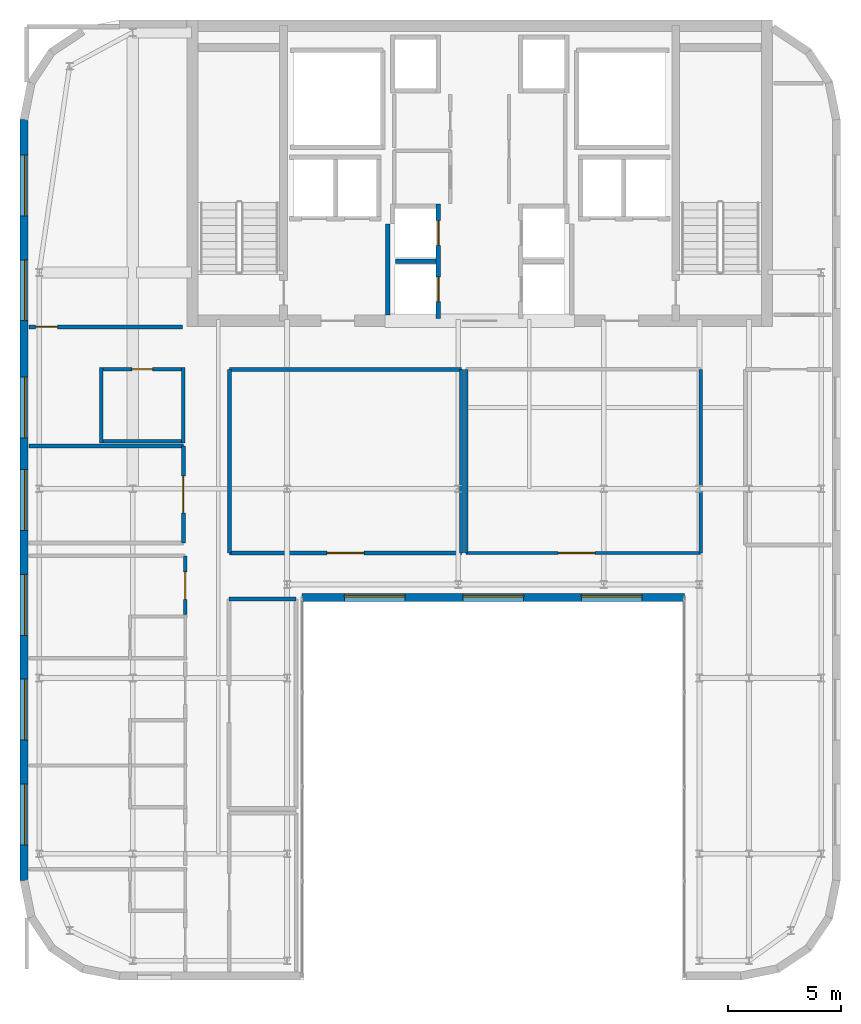
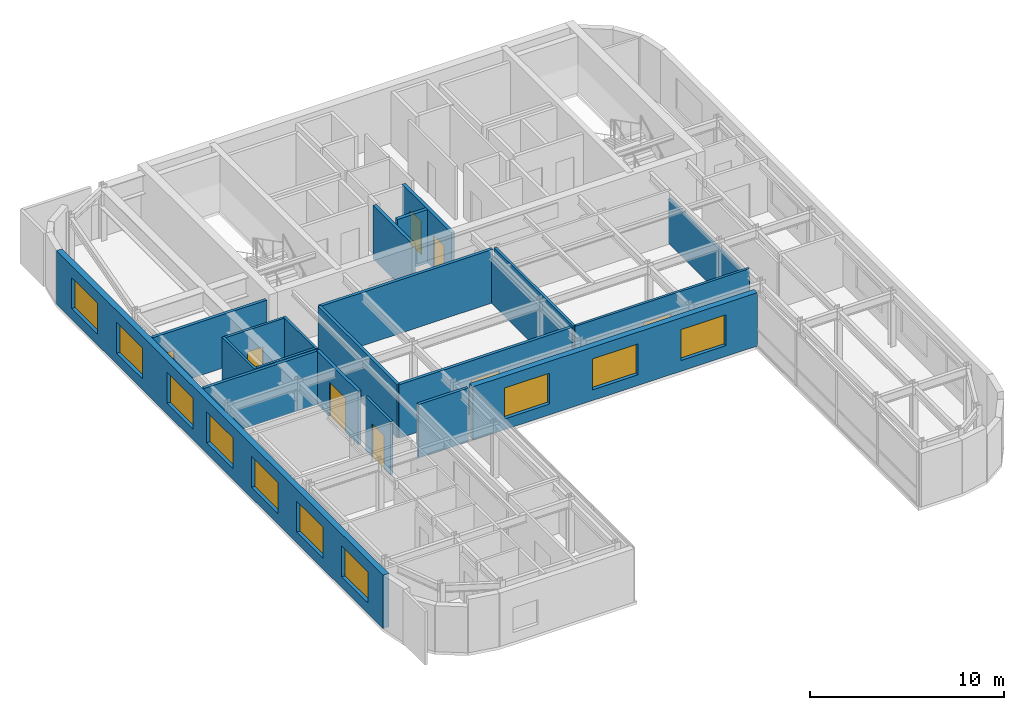
# One storey, part 14 of 18: 21 walls, 10 windows, 8 doors, 18 openings.
"""IFC4 building model written with IfcOpenShell, lengths in metres."""

import ifcopenshell
import ifcopenshell.guid

model = None  # the IFC model being written
_history = None  # IfcOwnerHistory: only IFC2X3 demands one
_inside = {}  # id of a spatial element -> (the spatial element, [elements in it])
_under = {}  # id of a project, library or spatial element -> (it, [spatial elements below it])
_declared = {}  # id of a project -> (the project, [libraries it declares])
_typed = {}  # id of a type object -> (the type object, [elements of that type])
_made_of = {}  # id of a material, layer set ... -> (it, [elements and type objects made of it])


def new_model(schema):
    """Start an empty IFC model of exactly this schema.

    Asked for "IFC4X3", IfcOpenShell would pick the latest addendum, in which some entities
    have other attributes; the version numbers below select the first issue.
    IFC2X3 requires an IfcOwnerHistory on every rooted entity: one is made here for all.
    """
    global model, _history
    if schema == "IFC4X3":
        model = ifcopenshell.file(schema_version=(4, 3, 0, 0))
    else:
        model = ifcopenshell.file(schema=schema)
    _inside.clear()
    _under.clear()
    _declared.clear()
    _typed.clear()
    _made_of.clear()
    _history = None
    if model.schema == "IFC2X3":
        org = make("IfcOrganization", Name="unknown")
        user = make(
            "IfcPersonAndOrganization",
            ThePerson=make("IfcPerson", FamilyName="unknown"),
            TheOrganization=org,
        )
        app = make(
            "IfcApplication",
            ApplicationDeveloper=org,
            Version="unknown",
            ApplicationFullName="unknown",
            ApplicationIdentifier="unknown",
        )
        _history = make(
            "IfcOwnerHistory",
            OwningUser=user,
            OwningApplication=app,
            ChangeAction="ADDED",
            CreationDate=0,
        )
    return model


def make(cls, **values):
    """One entity of the class cls with the attributes given. An attribute that is None is left unset."""
    return model.create_entity(
        cls, **{name: value for name, value in values.items() if value is not None}
    )


def rooted(cls, **values):
    """An entity with a GlobalId (a new one), such as an element, a storey or a relation."""
    return make(cls, GlobalId=ifcopenshell.guid.new(), OwnerHistory=_history, **values)


def si_unit(unit_type, name, prefix=None):
    """IfcSIUnit, for example si_unit("LENGTHUNIT", "METRE", prefix="MILLI")."""
    return make("IfcSIUnit", UnitType=unit_type, Prefix=prefix, Name=name)


def assignment(units):
    """IfcUnitAssignment: the units of a project."""
    return None if units is None else make("IfcUnitAssignment", Units=units)


def point(xyz):
    """IfcCartesianPoint."""
    return None if xyz is None else make("IfcCartesianPoint", Coordinates=xyz)


def direction(xyz):
    """IfcDirection."""
    return None if xyz is None else make("IfcDirection", DirectionRatios=xyz)


def frame(location, z_axis=None, x_axis=None):
    """IfcAxis2Placement3D, a coordinate frame: its origin and axes. An axis left out is left unset."""
    return make(
        "IfcAxis2Placement3D",
        Location=point(location),
        Axis=direction(z_axis),
        RefDirection=direction(x_axis),
    )


def frame_2d(location, x_axis=None):
    """IfcAxis2Placement2D, a coordinate frame in the plane: its origin and x axis."""
    return make(
        "IfcAxis2Placement2D", Location=point(location), RefDirection=direction(x_axis)
    )


def origin():
    """The frame at (0, 0, 0) with its axes left unset."""
    return frame((0.0, 0.0, 0.0))


def place(relative_to, where):
    """IfcLocalPlacement: puts the frame where relative to a parent placement (None: the world)."""
    return make(
        "IfcLocalPlacement", PlacementRelTo=relative_to, RelativePlacement=where
    )


def context(
    kind, dimensions, precision=None, world=None, true_north=None, identifier=None
):
    """IfcGeometricRepresentationContext, for example the 3D "Model" context."""
    return make(
        "IfcGeometricRepresentationContext",
        ContextIdentifier=identifier,
        ContextType=kind,
        CoordinateSpaceDimension=dimensions,
        Precision=precision,
        WorldCoordinateSystem=world,
        TrueNorth=true_north,
    )


def subcontext(parent, identifier, kind, view, scale=None):
    """IfcGeometricRepresentationSubContext, for example "Body" below "Model"."""
    return make(
        "IfcGeometricRepresentationSubContext",
        ContextIdentifier=identifier,
        ContextType=kind,
        ParentContext=parent,
        TargetScale=scale,
        TargetView=view,
    )


def project(units=None, contexts=None):
    """IfcProject with its units and contexts."""
    return rooted(
        "IfcProject",
        Name="project",
        RepresentationContexts=contexts,
        UnitsInContext=assignment(units),
    )


def spatial(cls, under=None, at=None, **own):
    """A site, building, storey or space (cls), placed at a placement, below another one or the project."""
    s = rooted(cls, ObjectPlacement=at, **own)
    if under is not None:
        _under.setdefault(under.id(), (under, []))[1].append(s)
    return s


def profile(cls, at=None, kind="AREA", **sizes):
    """A parametric profile (cls). Its sizes go by their IFC names, for example OverallWidth=200.0."""
    return make(cls, ProfileType=kind, Position=at, **sizes)


def rectangle(**sizes):
    """IfcRectangleProfileDef."""
    return profile("IfcRectangleProfileDef", **sizes)


def extrude(swept, where, along, depth):
    """IfcExtrudedAreaSolid: the profile swept, set in the frame where, extruded along a direction by depth."""
    return make(
        "IfcExtrudedAreaSolid",
        SweptArea=swept,
        Position=where,
        ExtrudedDirection=direction(along),
        Depth=depth,
    )


def shape(context_of_items, identifier, shape_type, items):
    """IfcShapeRepresentation: the items that make up one representation, for example the "Body"."""
    return make(
        "IfcShapeRepresentation",
        ContextOfItems=context_of_items,
        RepresentationIdentifier=identifier,
        RepresentationType=shape_type,
        Items=items,
    )


def source(mapping_origin, context_of_items, identifier, shape_type, items):
    """IfcRepresentationMap: a shape defined once, which mapped items show again and again."""
    return make(
        "IfcRepresentationMap",
        MappingOrigin=mapping_origin,
        MappedRepresentation=shape(context_of_items, identifier, shape_type, items),
    )


def transform(
    local_origin,
    x_axis=None,
    y_axis=None,
    z_axis=None,
    scale=None,
    scale2=None,
    scale3=None,
    uniform=True,
):
    """IfcCartesianTransformationOperator3D, or its non-uniform kind. x_axis, y_axis, z_axis: its Axis1, 2, 3."""
    if uniform:
        return make(
            "IfcCartesianTransformationOperator3D",
            Axis1=direction(x_axis),
            Axis2=direction(y_axis),
            LocalOrigin=point(local_origin),
            Scale=scale,
            Axis3=direction(z_axis),
        )
    return make(
        "IfcCartesianTransformationOperator3DnonUniform",
        Axis1=direction(x_axis),
        Axis2=direction(y_axis),
        LocalOrigin=point(local_origin),
        Scale=scale,
        Axis3=direction(z_axis),
        Scale2=scale2,
        Scale3=scale3,
    )


def mapped(mapping_source, mapping_target):
    """IfcMappedItem: shows the shape of a source again, moved by a transform."""
    return make(
        "IfcMappedItem", MappingSource=mapping_source, MappingTarget=mapping_target
    )


def material(Name=None, Category=None):
    """IfcMaterial."""
    return make("IfcMaterial", Name=Name, Category=Category)


def layer(
    of_material, thickness, ventilated=None, Name=None, Category=None, Priority=None
):
    """IfcMaterialLayer: one layer of a wall or slab, of a material (None: an air gap)."""
    return make(
        "IfcMaterialLayer",
        Material=of_material,
        LayerThickness=thickness,
        IsVentilated=ventilated,
        Name=Name,
        Category=Category,
        Priority=Priority,
    )


def layer_set(layers, Name=None):
    """IfcMaterialLayerSet."""
    return make("IfcMaterialLayerSet", MaterialLayers=layers, LayerSetName=Name)


def made_of(thing, what):
    """Note that an element or type object is made of a material, layer set ...; save() writes the relation."""
    if what is not None:
        _made_of.setdefault(what.id(), (what, []))[1].append(thing)
    return thing


def type_object(cls, material=None, **own):
    """A type object (cls), such as IfcWallType, which elements share."""
    return made_of(rooted(cls, **own), material)


def type_shapes(of_type, sources):
    """Give a type object the sources (RepresentationMaps) that its elements show as mapped items."""
    of_type.RepresentationMaps = sources


def element(
    cls,
    number,
    at=None,
    inside=None,
    cuts=None,
    type_object=None,
    material=None,
    context=None,
    identifier="Body",
    shape_type=None,
    held_by="IfcProductDefinitionShape",
    body=None,
    shapes=None,
    **own,
):
    """One element of the class cls, such as IfcWall. Its Tag is "e" and its number.

    at: its placement. inside: the storey or other place that contains it. cuts: it is an
    opening in that element (IfcRelVoidsElement). A single representation is given by context,
    identifier, shape_type and body (its items); several are given by shapes. held_by: the class
    of the entity that holds the representations. save() writes the other relations.
    """
    e = rooted(cls, Tag="e%d" % number, ObjectPlacement=at, **own)
    if body is not None:
        shapes = [shape(context, identifier, shape_type, body)]
    if shapes is not None:
        e.Representation = make(held_by, Representations=shapes)
    if inside is not None:
        _inside.setdefault(inside.id(), (inside, []))[1].append(e)
    if cuts is not None:
        rooted(
            "IfcRelVoidsElement", RelatingBuildingElement=cuts, RelatedOpeningElement=e
        )
    if type_object is not None:
        _typed.setdefault(type_object.id(), (type_object, []))[1].append(e)
    return made_of(e, material)


def fill(opening, filler):
    """IfcRelFillsElement: the door or window that sits in an opening."""
    return rooted(
        "IfcRelFillsElement",
        RelatingOpeningElement=opening,
        RelatedBuildingElement=filler,
    )


def aggregate(whole, parts):
    """IfcRelAggregates: a whole, such as a stair, and the parts it consists of."""
    return rooted("IfcRelAggregates", RelatingObject=whole, RelatedObjects=parts)


def save(model, path):
    """Write the relations noted so far, then the file.

    IfcRelAggregates (storeys below a building ...), IfcRelContainedInSpatialStructure (elements
    in a storey), IfcRelDefinesByType, IfcRelAssociatesMaterial and IfcRelDeclares: one each for
    every whole, place, type object, material and project.
    """
    for whole, parts in _under.values():
        aggregate(whole, parts)
    for where, things in _inside.values():
        rooted(
            "IfcRelContainedInSpatialStructure",
            RelatedElements=things,
            RelatingStructure=where,
        )
    for kind, things in _typed.values():
        rooted("IfcRelDefinesByType", RelatedObjects=things, RelatingType=kind)
    for what, things in _made_of.values():
        rooted("IfcRelAssociatesMaterial", RelatedObjects=things, RelatingMaterial=what)
    for by, libraries in _declared.values():
        rooted("IfcRelDeclares", RelatingContext=by, RelatedDefinitions=libraries)
    model.write(path)


model = new_model("IFC4")

# Units and contexts
model_context = context("Model", 3, precision=1e-05, world=origin(), true_north=direction((0.0, 1.0)))
body_context = subcontext(model_context, "Body", "Model", "MODEL_VIEW")
ifc_project = project(units=[si_unit("LENGTHUNIT", "METRE"), si_unit("AREAUNIT", "SQUARE_METRE"), si_unit("VOLUMEUNIT", "CUBIC_METRE"), si_unit("PLANEANGLEUNIT", "RADIAN"), si_unit("MASSUNIT", "GRAM", prefix="KILO")], contexts=[model_context])

# Site, building, storey
site_placement = place(None, origin())
site = spatial("IfcSite", under=ifc_project, at=site_placement, CompositionType="ELEMENT")
building_placement = place(site_placement, origin())
building = spatial("IfcBuilding", under=site, at=building_placement, Name="Tolvann Quenvar Hotel", CompositionType="ELEMENT")
storey_placement = place(building_placement, frame((0.0, 0.0, 245.199951171875)))
storey = spatial("IfcBuildingStorey", under=building, at=storey_placement, Name="L65", CompositionType="ELEMENT", Elevation=245.199951171875)

# Wall, openings, windows
ifc_material_1 = material(Name="Kiln-fired red and buff architectural clay brickwork and terracotta masonry", Category="masonry")
ifc_layer_1 = layer(ifc_material_1, 0.35009765625)
ifc_layer_set_1 = layer_set([ifc_layer_1], Name="Kiln-fired red and buff architectural clay brickwork and terracotta masonry")
wall_type_1 = type_object("IfcWallType", Name="WALL_EXT_BRICK_350", PredefinedType="SOLIDWALL", material=ifc_layer_set_1)
wall_1_placement = place(storey_placement, frame((15.110107421875, 19.574951171875, 0.0), z_axis=(0.0, 0.0, 1.0), x_axis=(1.0, 0.0, 0.0)))
wall_1 = element("IfcWall", 1, at=wall_1_placement, inside=storey, type_object=wall_type_1, Name="Exterior Chicago Brick Wall L65-E06", PredefinedType="SOLIDWALL", context=body_context, shape_type="SweptSolid", body=[
    extrude(rectangle(XDim=16.97998046875, YDim=0.35009765625, at=frame_2d((8.489990234375, 0.0))), origin(), (0.0, 0.0, 1.0), 3.3701171875),
])
opening_1_placement = place(wall_1_placement, frame((1.8798828125, 0.0, 0.679931640625)))
opening_1 = element("IfcOpeningElement", 2, at=opening_1_placement, cuts=wall_1, Name="Opening W-04", PredefinedType="OPENING", context=body_context, shape_type="SweptSolid", body=[
    extrude(rectangle(XDim=2.699951171875, YDim=1.949951171875, at=frame_2d((1.35009765625, 0.97509765625))), frame((0.0, 0.18505859375, 0.0), z_axis=(0.0, -1.0, 0.0), x_axis=(1.0, 0.0, 0.0)), (0.0, 0.0, 1.0), 0.3701171875),
])
opening_2_placement = place(wall_1_placement, frame((7.139892578125, 0.0, 0.679931640625)))
opening_2 = element("IfcOpeningElement", 3, at=opening_2_placement, cuts=wall_1, Name="Opening W-04", PredefinedType="OPENING", context=body_context, shape_type="SweptSolid", body=[
    extrude(rectangle(XDim=2.699951171875, YDim=1.949951171875, at=frame_2d((1.35009765625, 0.97509765625))), frame((0.0, 0.18505859375, 0.0), z_axis=(0.0, -1.0, 0.0), x_axis=(1.0, 0.0, 0.0)), (0.0, 0.0, 1.0), 0.3701171875),
])
opening_3_placement = place(wall_1_placement, frame((12.39990234375, 0.0, 0.679931640625)))
opening_3 = element("IfcOpeningElement", 4, at=opening_3_placement, cuts=wall_1, Name="Opening W-04", PredefinedType="OPENING", context=body_context, shape_type="SweptSolid", body=[
    extrude(rectangle(XDim=2.699951171875, YDim=1.949951171875, at=frame_2d((1.35009765625, 0.97509765625))), frame((0.0, 0.18505859375, 0.0), z_axis=(0.0, -1.0, 0.0), x_axis=(1.0, 0.0, 0.0)), (0.0, 0.0, 1.0), 0.3701171875),
])
ifc_material_2 = material(Name="Thermally broken bronze-anodised aluminium frame with double low-E glazing", Category="aluminium")
window_type = type_object("IfcWindowType", Name="WIN_STE_2700x2150", PartitioningType="TRIPLE_PANEL_HORIZONTAL", PredefinedType="WINDOW", material=ifc_material_2)
shared_shape_1 = source(origin(), body_context, "Body", "SweptSolid", [
    extrude(rectangle(XDim=2.699951171875, YDim=1.949951171875, at=frame_2d((1.35009765625, 0.97509765625))), frame((0.0, 0.090087890625, 0.0), z_axis=(0.0, -1.0, 0.0), x_axis=(1.0, 0.0, 0.0)), (0.0, 0.0, 1.0), 0.06005859375),
])
type_shapes(window_type, [shared_shape_1])
window_1_placement = place(opening_1_placement, origin())
window_1 = element("IfcWindow", 5, at=window_1_placement, inside=storey, type_object=window_type, Name="Chicago Window W-04 (EW-L65-E06-W01)", OverallHeight=1.949951171875, OverallWidth=2.699951171875, PartitioningType="TRIPLE_PANEL_HORIZONTAL", PredefinedType="WINDOW", context=body_context, shape_type="MappedRepresentation", body=[
    mapped(shared_shape_1, transform((0.0, 0.0, 0.0), x_axis=(1.0, 0.0, 0.0), y_axis=(0.0, 1.0, 0.0), z_axis=(0.0, 0.0, 1.0), scale=1.0)),
])
fill(opening_1, window_1)
window_2_placement = place(opening_2_placement, origin())
window_2 = element("IfcWindow", 6, at=window_2_placement, inside=storey, type_object=window_type, Name="Chicago Window W-04 (EW-L65-E06-W02)", OverallHeight=1.949951171875, OverallWidth=2.699951171875, PartitioningType="TRIPLE_PANEL_HORIZONTAL", PredefinedType="WINDOW", context=body_context, shape_type="MappedRepresentation", body=[
    mapped(shared_shape_1, transform((0.0, 0.0, 0.0), x_axis=(1.0, 0.0, 0.0), y_axis=(0.0, 1.0, 0.0), z_axis=(0.0, 0.0, 1.0), scale=1.0)),
])
fill(opening_2, window_2)
window_3_placement = place(opening_3_placement, origin())
window_3 = element("IfcWindow", 7, at=window_3_placement, inside=storey, type_object=window_type, Name="Chicago Window W-04 (EW-L65-E06-W03)", OverallHeight=1.949951171875, OverallWidth=2.699951171875, PartitioningType="TRIPLE_PANEL_HORIZONTAL", PredefinedType="WINDOW", context=body_context, shape_type="MappedRepresentation", body=[
    mapped(shared_shape_1, transform((0.0, 0.0, 0.0), x_axis=(1.0, 0.0, 0.0), y_axis=(0.0, 1.0, 0.0), z_axis=(0.0, 0.0, 1.0), scale=1.0)),
])
fill(opening_3, window_3)

wall_2_placement = place(storey_placement, frame((2.77490234375, 40.78271484375, 0.0), z_axis=(0.0, 0.0, 1.0), x_axis=(0.0, -1.0, 0.0)))
wall_2 = element("IfcWall", 8, at=wall_2_placement, inside=storey, type_object=wall_type_1, Name="Exterior Chicago Brick Wall L65-E23", PredefinedType="SOLIDWALL", context=body_context, shape_type="SweptSolid", body=[
    extrude(rectangle(XDim=33.765625, YDim=0.35009765625, at=frame_2d((16.8828125, 0.0))), origin(), (0.0, 0.0, 1.0), 3.3701171875),
])
opening_4_placement = place(wall_2_placement, frame((1.575927734375, 0.0, 0.679931640625)))
opening_4 = element("IfcOpeningElement", 9, at=opening_4_placement, cuts=wall_2, Name="Opening W-04", PredefinedType="OPENING", context=body_context, shape_type="SweptSolid", body=[
    extrude(rectangle(XDim=2.699951171875, YDim=1.949951171875, at=frame_2d((1.35009765625, 0.97509765625))), frame((0.0, 0.18505859375, 0.0), z_axis=(0.0, -1.0, 0.0), x_axis=(1.0, 0.0, 0.0)), (0.0, 0.0, 1.0), 0.3701171875),
])
opening_5_placement = place(wall_2_placement, frame((6.22802734375, 0.0, 0.679931640625)))
opening_5 = element("IfcOpeningElement", 10, at=opening_5_placement, cuts=wall_2, Name="Opening W-04", PredefinedType="OPENING", context=body_context, shape_type="SweptSolid", body=[
    extrude(rectangle(XDim=2.699951171875, YDim=1.949951171875, at=frame_2d((1.35009765625, 0.97509765625))), frame((0.0, 0.18505859375, 0.0), z_axis=(0.0, -1.0, 0.0), x_axis=(1.0, 0.0, 0.0)), (0.0, 0.0, 1.0), 0.3701171875),
])
opening_6_placement = place(wall_2_placement, frame((11.430908203125, 0.0, 0.679931640625)))
opening_6 = element("IfcOpeningElement", 11, at=opening_6_placement, cuts=wall_2, Name="Opening W-04", PredefinedType="OPENING", context=body_context, shape_type="SweptSolid", body=[
    extrude(rectangle(XDim=2.699951171875, YDim=1.949951171875, at=frame_2d((1.35009765625, 0.97509765625))), frame((0.0, 0.18505859375, 0.0), z_axis=(0.0, -1.0, 0.0), x_axis=(1.0, 0.0, 0.0)), (0.0, 0.0, 1.0), 0.3701171875),
])
opening_7_placement = place(wall_2_placement, frame((15.532958984375, 0.0, 0.679931640625)))
opening_7 = element("IfcOpeningElement", 12, at=opening_7_placement, cuts=wall_2, Name="Opening W-04", PredefinedType="OPENING", context=body_context, shape_type="SweptSolid", body=[
    extrude(rectangle(XDim=2.699951171875, YDim=1.949951171875, at=frame_2d((1.35009765625, 0.97509765625))), frame((0.0, 0.18505859375, 0.0), z_axis=(0.0, -1.0, 0.0), x_axis=(1.0, 0.0, 0.0)), (0.0, 0.0, 1.0), 0.3701171875),
])
opening_8_placement = place(wall_2_placement, frame((20.18505859375, 0.0, 0.679931640625)))
opening_8 = element("IfcOpeningElement", 13, at=opening_8_placement, cuts=wall_2, Name="Opening W-04", PredefinedType="OPENING", context=body_context, shape_type="SweptSolid", body=[
    extrude(rectangle(XDim=2.699951171875, YDim=1.949951171875, at=frame_2d((1.35009765625, 0.97509765625))), frame((0.0, 0.18505859375, 0.0), z_axis=(0.0, -1.0, 0.0), x_axis=(1.0, 0.0, 0.0)), (0.0, 0.0, 1.0), 0.3701171875),
])
opening_9_placement = place(wall_2_placement, frame((24.8369140625, 0.0, 0.679931640625)))
opening_9 = element("IfcOpeningElement", 14, at=opening_9_placement, cuts=wall_2, Name="Opening W-04", PredefinedType="OPENING", context=body_context, shape_type="SweptSolid", body=[
    extrude(rectangle(XDim=2.699951171875, YDim=1.949951171875, at=frame_2d((1.35009765625, 0.97509765625))), frame((0.0, 0.18505859375, 0.0), z_axis=(0.0, -1.0, 0.0), x_axis=(1.0, 0.0, 0.0)), (0.0, 0.0, 1.0), 0.3701171875),
])
opening_10_placement = place(wall_2_placement, frame((29.489013671875, 0.0, 0.679931640625)))
opening_10 = element("IfcOpeningElement", 15, at=opening_10_placement, cuts=wall_2, Name="Opening W-04", PredefinedType="OPENING", context=body_context, shape_type="SweptSolid", body=[
    extrude(rectangle(XDim=2.699951171875, YDim=1.949951171875, at=frame_2d((1.35009765625, 0.97509765625))), frame((0.0, 0.18505859375, 0.0), z_axis=(0.0, -1.0, 0.0), x_axis=(1.0, 0.0, 0.0)), (0.0, 0.0, 1.0), 0.3701171875),
])
window_4_placement = place(opening_4_placement, origin())
window_4 = element("IfcWindow", 16, at=window_4_placement, inside=storey, type_object=window_type, Name="Chicago Window W-04 (EW-L65-E23-W01)", OverallHeight=1.949951171875, OverallWidth=2.699951171875, PartitioningType="TRIPLE_PANEL_HORIZONTAL", PredefinedType="WINDOW", context=body_context, shape_type="MappedRepresentation", body=[
    mapped(shared_shape_1, transform((0.0, 0.0, 0.0), x_axis=(1.0, 0.0, 0.0), y_axis=(0.0, 1.0, 0.0), z_axis=(0.0, 0.0, 1.0), scale=1.0)),
])
fill(opening_4, window_4)
window_5_placement = place(opening_5_placement, origin())
window_5 = element("IfcWindow", 17, at=window_5_placement, inside=storey, type_object=window_type, Name="Chicago Window W-04 (EW-L65-E23-W02)", OverallHeight=1.949951171875, OverallWidth=2.699951171875, PartitioningType="TRIPLE_PANEL_HORIZONTAL", PredefinedType="WINDOW", context=body_context, shape_type="MappedRepresentation", body=[
    mapped(shared_shape_1, transform((0.0, 0.0, 0.0), x_axis=(1.0, 0.0, 0.0), y_axis=(0.0, 1.0, 0.0), z_axis=(0.0, 0.0, 1.0), scale=1.0)),
])
fill(opening_5, window_5)
window_6_placement = place(opening_6_placement, origin())
window_6 = element("IfcWindow", 18, at=window_6_placement, inside=storey, type_object=window_type, Name="Chicago Window W-04 (EW-L65-E23-W03)", OverallHeight=1.949951171875, OverallWidth=2.699951171875, PartitioningType="TRIPLE_PANEL_HORIZONTAL", PredefinedType="WINDOW", context=body_context, shape_type="MappedRepresentation", body=[
    mapped(shared_shape_1, transform((0.0, 0.0, 0.0), x_axis=(1.0, 0.0, 0.0), y_axis=(0.0, 1.0, 0.0), z_axis=(0.0, 0.0, 1.0), scale=1.0)),
])
fill(opening_6, window_6)
window_7_placement = place(opening_7_placement, origin())
window_7 = element("IfcWindow", 19, at=window_7_placement, inside=storey, type_object=window_type, Name="Chicago Window W-04 (EW-L65-E23-W04)", OverallHeight=1.949951171875, OverallWidth=2.699951171875, PartitioningType="TRIPLE_PANEL_HORIZONTAL", PredefinedType="WINDOW", context=body_context, shape_type="MappedRepresentation", body=[
    mapped(shared_shape_1, transform((0.0, 0.0, 0.0), x_axis=(1.0, 0.0, 0.0), y_axis=(0.0, 1.0, 0.0), z_axis=(0.0, 0.0, 1.0), scale=1.0)),
])
fill(opening_7, window_7)
window_8_placement = place(opening_8_placement, origin())
window_8 = element("IfcWindow", 20, at=window_8_placement, inside=storey, type_object=window_type, Name="Chicago Window W-04 (EW-L65-E23-W05)", OverallHeight=1.949951171875, OverallWidth=2.699951171875, PartitioningType="TRIPLE_PANEL_HORIZONTAL", PredefinedType="WINDOW", context=body_context, shape_type="MappedRepresentation", body=[
    mapped(shared_shape_1, transform((0.0, 0.0, 0.0), x_axis=(1.0, 0.0, 0.0), y_axis=(0.0, 1.0, 0.0), z_axis=(0.0, 0.0, 1.0), scale=1.0)),
])
fill(opening_8, window_8)
window_9_placement = place(opening_9_placement, origin())
window_9 = element("IfcWindow", 21, at=window_9_placement, inside=storey, type_object=window_type, Name="Chicago Window W-04 (EW-L65-E23-W06)", OverallHeight=1.949951171875, OverallWidth=2.699951171875, PartitioningType="TRIPLE_PANEL_HORIZONTAL", PredefinedType="WINDOW", context=body_context, shape_type="MappedRepresentation", body=[
    mapped(shared_shape_1, transform((0.0, 0.0, 0.0), x_axis=(1.0, 0.0, 0.0), y_axis=(0.0, 1.0, 0.0), z_axis=(0.0, 0.0, 1.0), scale=1.0)),
])
fill(opening_9, window_9)
window_10_placement = place(opening_10_placement, origin())
window_10 = element("IfcWindow", 22, at=window_10_placement, inside=storey, type_object=window_type, Name="Chicago Window W-04 (EW-L65-E23-W07)", OverallHeight=1.949951171875, OverallWidth=2.699951171875, PartitioningType="TRIPLE_PANEL_HORIZONTAL", PredefinedType="WINDOW", context=body_context, shape_type="MappedRepresentation", body=[
    mapped(shared_shape_1, transform((0.0, 0.0, 0.0), x_axis=(1.0, 0.0, 0.0), y_axis=(0.0, 1.0, 0.0), z_axis=(0.0, 0.0, 1.0), scale=1.0)),
])
fill(opening_10, window_10)

# Wall
ifc_material_3 = material(Name="Acoustic twin-stud fire-rated gypsum plasterboard partition")
ifc_layer_2 = layer(ifc_material_3, 0.179931640625)
ifc_layer_set_2 = layer_set([ifc_layer_2], Name="Acoustic twin-stud fire-rated gypsum plasterboard partition")
wall_type_2 = type_object("IfcWallType", Name="WALL_PART_ACOUSTIC_180", PredefinedType="PARTITIONING", material=ifc_layer_set_2)
wall_3_placement = place(storey_placement, frame((11.8798828125, 19.5, 0.0), z_axis=(0.0, 0.0, 1.0), x_axis=(1.0, 0.0, 0.0)))
element("IfcWall", 23, at=wall_3_placement, inside=storey, type_object=wall_type_2, Name="Interior Partition PT-SPC-L65-POVL-N", PredefinedType="PARTITIONING", context=body_context, shape_type="SweptSolid", body=[
    extrude(rectangle(XDim=2.97021484375, YDim=0.179931640625, at=frame_2d((1.485107421875, 0.0))), origin(), (0.0, 0.0, 1.0), 3.3701171875),
])

# Wall, opening, door
wall_4_placement = place(storey_placement, frame((11.89990234375, 21.550048828125, 0.0), z_axis=(0.0, 0.0, 1.0), x_axis=(1.0, 0.0, 0.0)))
wall_4 = element("IfcWall", 24, at=wall_4_placement, inside=storey, type_object=wall_type_2, Name="Interior Partition PT-SPC-L65-PCNTRW-S", PredefinedType="PARTITIONING", context=body_context, shape_type="SweptSolid", body=[
    extrude(rectangle(XDim=10.300048828125, YDim=0.179931640625, at=frame_2d((5.14990234375, 0.0))), origin(), (0.0, 0.0, 1.0), 3.3701171875),
])
opening_11_placement = place(wall_4_placement, frame((4.324951171875, 0.0, 0.0)))
opening_11 = element("IfcOpeningElement", 25, at=opening_11_placement, cuts=wall_4, Name="Opening AD-01", PredefinedType="OPENING", context=body_context, shape_type="SweptSolid", body=[
    extrude(rectangle(XDim=1.64990234375, YDim=2.14990234375, at=frame_2d((0.824951171875, 1.074951171875))), frame((0.0, 0.10009765625, 0.0), z_axis=(0.0, -1.0, 0.0), x_axis=(1.0, 0.0, 0.0)), (0.0, 0.0, 1.0), 0.199951171875),
])
ifc_material_4 = material(Name="Solid-core American oak acoustic fire door leaf in steel frame", Category="steel")
door_type_1 = type_object("IfcDoorType", Name="DOOR_SALON_1650", OperationType="NOTDEFINED", PredefinedType="DOOR", material=ifc_material_4)
shared_shape_2 = source(origin(), body_context, "Body", "SweptSolid", [
    extrude(rectangle(XDim=1.64990234375, YDim=2.14990234375, at=frame_2d((0.824951171875, 1.074951171875))), frame((0.0, 0.02490234375, 0.0), z_axis=(0.0, -1.0, 0.0), x_axis=(1.0, 0.0, 0.0)), (0.0, 0.0, 1.0), 0.050048828125),
])
type_shapes(door_type_1, [shared_shape_2])
door_1_placement = place(opening_11_placement, origin())
door_1 = element("IfcDoor", 26, at=door_1_placement, inside=storey, type_object=door_type_1, Name="Interior Door DOOR-SPC-L65-PCNTRW", OperationType="DOUBLE_DOOR_SINGLE_SWING", OverallHeight=2.14990234375, OverallWidth=1.64990234375, PredefinedType="DOOR", context=body_context, shape_type="MappedRepresentation", body=[
    mapped(shared_shape_2, transform((0.0, 0.0, 0.0), x_axis=(1.0, 0.0, 0.0), y_axis=(0.0, 1.0, 0.0), z_axis=(0.0, 0.0, 1.0), scale=1.0)),
])
fill(opening_11, door_1)

# Walls
wall_5_placement = place(storey_placement, frame((11.89990234375, 29.699951171875, 0.0), z_axis=(0.0, 0.0, 1.0), x_axis=(1.0, 0.0, 0.0)))
element("IfcWall", 27, at=wall_5_placement, inside=storey, type_object=wall_type_2, Name="Interior Partition PT-SPC-L65-PCNTRW-N", PredefinedType="PARTITIONING", context=body_context, shape_type="SweptSolid", body=[
    extrude(rectangle(XDim=10.300048828125, YDim=0.179931640625, at=frame_2d((5.14990234375, 0.0))), origin(), (0.0, 0.0, 1.0), 3.3701171875),
])
wall_6_placement = place(storey_placement, frame((11.89990234375, 21.550048828125, 0.0), z_axis=(0.0, 0.0, 1.0), x_axis=(0.0, 1.0, 0.0)))
element("IfcWall", 28, at=wall_6_placement, inside=storey, type_object=wall_type_2, Name="Interior Partition PT-SPC-L65-PCNTRW-W", PredefinedType="PARTITIONING", context=body_context, shape_type="SweptSolid", body=[
    extrude(rectangle(XDim=8.14990234375, YDim=0.179931640625, at=frame_2d((4.074951171875, 0.0))), origin(), (0.0, 0.0, 1.0), 3.3701171875),
])
wall_7_placement = place(storey_placement, frame((22.199951171875, 21.550048828125, 0.0), z_axis=(0.0, 0.0, 1.0), x_axis=(0.0, 1.0, 0.0)))
element("IfcWall", 29, at=wall_7_placement, inside=storey, type_object=wall_type_2, Name="Interior Partition PT-SPC-L65-PCNTRW-E", PredefinedType="PARTITIONING", context=body_context, shape_type="SweptSolid", body=[
    extrude(rectangle(XDim=8.14990234375, YDim=0.179931640625, at=frame_2d((4.074951171875, 0.0))), origin(), (0.0, 0.0, 1.0), 2.8271484375),
])
wall_8_placement = place(storey_placement, frame((3.0048828125, 26.300048828125, 0.0), z_axis=(0.0, 0.0, 1.0), x_axis=(1.0, 0.0, 0.0)))
element("IfcWall", 30, at=wall_8_placement, inside=storey, type_object=wall_type_2, Name="Interior Partition PT-SPC-L65-WCLNG-N", PredefinedType="PARTITIONING", context=body_context, shape_type="SweptSolid", body=[
    extrude(rectangle(XDim=6.84521484375, YDim=0.179931640625, at=frame_2d((3.422607421875, 0.0))), origin(), (0.0, 0.0, 1.0), 3.3701171875),
])

# Wall, opening, door
wall_9_placement = place(storey_placement, frame((9.85009765625, 22.0, 0.0), z_axis=(0.0, 0.0, 1.0), x_axis=(0.0, 1.0, 0.0)))
wall_9 = element("IfcWall", 31, at=wall_9_placement, inside=storey, type_object=wall_type_2, Name="Interior Partition PT-SPC-L65-WCLNG-E", PredefinedType="PARTITIONING", context=body_context, shape_type="SweptSolid", body=[
    extrude(rectangle(XDim=4.300048828125, YDim=0.179931640625, at=frame_2d((2.14990234375, 0.0))), origin(), (0.0, 0.0, 1.0), 3.3701171875),
])
opening_12_placement = place(wall_9_placement, frame((1.324951171875, 0.0, 0.0)))
opening_12 = element("IfcOpeningElement", 32, at=opening_12_placement, cuts=wall_9, Name="Opening AD-01", PredefinedType="OPENING", context=body_context, shape_type="SweptSolid", body=[
    extrude(rectangle(XDim=1.64990234375, YDim=2.14990234375, at=frame_2d((0.824951171875, 1.074951171875))), frame((0.0, 0.10009765625, 0.0), z_axis=(0.0, -1.0, 0.0), x_axis=(1.0, 0.0, 0.0)), (0.0, 0.0, 1.0), 0.199951171875),
])
door_2_placement = place(opening_12_placement, origin())
door_2 = element("IfcDoor", 33, at=door_2_placement, inside=storey, type_object=door_type_1, Name="Interior Door DOOR-SPC-L65-WCLNG", OperationType="DOUBLE_DOOR_SINGLE_SWING", OverallHeight=2.14990234375, OverallWidth=1.64990234375, PredefinedType="DOOR", context=body_context, shape_type="MappedRepresentation", body=[
    mapped(shared_shape_2, transform((0.0, 0.0, 0.0), x_axis=(1.0, 0.0, 0.0), y_axis=(0.0, 1.0, 0.0), z_axis=(0.0, 0.0, 1.0), scale=1.0)),
])
fill(opening_12, door_2)

wall_10_placement = place(storey_placement, frame((3.0048828125, 31.580078125, 0.0), z_axis=(0.0, 0.0, 1.0), x_axis=(1.0, 0.0, 0.0)))
wall_10 = element("IfcWall", 34, at=wall_10_placement, inside=storey, type_object=wall_type_2, Name="Interior Partition PT-SPC-L65-SAL-ENT", PredefinedType="PARTITIONING", context=body_context, shape_type="SweptSolid", body=[
    extrude(rectangle(XDim=6.795166015625, YDim=0.179931640625, at=frame_2d((3.3974609375, 0.0))), origin(), (0.0, 0.0, 1.0), 3.3701171875),
])
opening_13_placement = place(wall_10_placement, frame((0.284912109375, 0.0, 0.0)))
opening_13 = element("IfcOpeningElement", 35, at=opening_13_placement, cuts=wall_10, Name="Opening SD-01", PredefinedType="OPENING", context=body_context, shape_type="SweptSolid", body=[
    extrude(rectangle(XDim=0.97998046875, YDim=2.1201171875, at=frame_2d((0.489990234375, 1.06005859375))), frame((0.0, 0.10009765625, 0.0), z_axis=(0.0, -1.0, 0.0), x_axis=(1.0, 0.0, 0.0)), (0.0, 0.0, 1.0), 0.199951171875),
])
door_type_2 = type_object("IfcDoorType", Name="DOOR_SUITE_980", OperationType="NOTDEFINED", PredefinedType="DOOR", material=ifc_material_4)
shared_shape_3 = source(origin(), body_context, "Body", "SweptSolid", [
    extrude(rectangle(XDim=0.97998046875, YDim=2.1201171875, at=frame_2d((0.489990234375, 1.06005859375))), frame((0.0, 0.02490234375, 0.0), z_axis=(0.0, -1.0, 0.0), x_axis=(1.0, 0.0, 0.0)), (0.0, 0.0, 1.0), 0.050048828125),
])
type_shapes(door_type_2, [shared_shape_3])
door_3_placement = place(opening_13_placement, origin())
door_3 = element("IfcDoor", 36, at=door_3_placement, inside=storey, type_object=door_type_2, Name="Interior Door DOOR-SPC-L65-SAL", OperationType="SINGLE_SWING_LEFT", OverallHeight=2.1201171875, OverallWidth=0.97998046875, PredefinedType="DOOR", context=body_context, shape_type="MappedRepresentation", body=[
    mapped(shared_shape_3, transform((0.0, 0.0, 0.0), x_axis=(1.0, 0.0, 0.0), y_axis=(0.0, 1.0, 0.0), z_axis=(0.0, 0.0, 1.0), scale=1.0)),
])
fill(opening_13, door_3)

ifc_layer_3 = layer(ifc_material_3, 0.14990234375)
ifc_layer_set_3 = layer_set([ifc_layer_3], Name="Acoustic twin-stud fire-rated gypsum plasterboard partition")
wall_type_3 = type_object("IfcWallType", Name="WALL_PART_SUITE_150", PredefinedType="PARTITIONING", material=ifc_layer_set_3)
wall_11_placement = place(storey_placement, frame((9.929931640625, 18.81005859375, 0.0), z_axis=(0.0, 0.0, 1.0), x_axis=(0.0, 1.0, 0.0)))
wall_11 = element("IfcWall", 37, at=wall_11_placement, inside=storey, type_object=wall_type_3, Name="Interior Partition PT-SPC-L65-RM-PW04-ENT", PredefinedType="PARTITIONING", context=body_context, shape_type="SweptSolid", body=[
    extrude(rectangle(XDim=2.60986328125, YDim=0.14990234375, at=frame_2d((1.304931640625, 0.0))), origin(), (0.0, 0.0, 1.0), 3.3701171875),
])
opening_14_placement = place(wall_11_placement, frame((0.675048828125, 0.0, 0.0)))
opening_14 = element("IfcOpeningElement", 38, at=opening_14_placement, cuts=wall_11, Name="Opening SD-02", PredefinedType="OPENING", context=body_context, shape_type="SweptSolid", body=[
    extrude(rectangle(XDim=1.219970703125, YDim=2.080078125, at=frame_2d((0.60986328125, 1.0400390625))), frame((0.0, 0.0849609375, 0.0), z_axis=(0.0, -1.0, 0.0), x_axis=(1.0, 0.0, 0.0)), (0.0, 0.0, 1.0), 0.169921875),
])
door_type_3 = type_object("IfcDoorType", Name="DOOR_VIP_1220", OperationType="NOTDEFINED", PredefinedType="DOOR", material=ifc_material_4)
shared_shape_4 = source(origin(), body_context, "Body", "SweptSolid", [
    extrude(rectangle(XDim=1.219970703125, YDim=2.080078125, at=frame_2d((0.60986328125, 1.0400390625))), frame((0.0, 0.02490234375, 0.0), z_axis=(0.0, -1.0, 0.0), x_axis=(1.0, 0.0, 0.0)), (0.0, 0.0, 1.0), 0.050048828125),
])
type_shapes(door_type_3, [shared_shape_4])
door_4_placement = place(opening_14_placement, origin())
door_4 = element("IfcDoor", 39, at=door_4_placement, inside=storey, type_object=door_type_3, Name="Interior Door DOOR-SPC-L65-RM-PW04", OperationType="SINGLE_SWING_LEFT", OverallHeight=2.080078125, OverallWidth=1.219970703125, PredefinedType="DOOR", context=body_context, shape_type="MappedRepresentation", body=[
    mapped(shared_shape_4, transform((0.0, 0.0, 0.0), x_axis=(1.0, 0.0, 0.0), y_axis=(0.0, 1.0, 0.0), z_axis=(0.0, 0.0, 1.0), scale=1.0)),
])
fill(opening_14, door_4)

wall_12_placement = place(storey_placement, frame((22.39990234375, 21.550048828125, 0.0), z_axis=(0.0, 0.0, 1.0), x_axis=(1.0, 0.0, 0.0)))
wall_12 = element("IfcWall", 40, at=wall_12_placement, inside=storey, type_object=wall_type_3, Name="Interior Partition PT-SPC-L65-PCNTRE-S", PredefinedType="PARTITIONING", context=body_context, shape_type="SweptSolid", body=[
    extrude(rectangle(XDim=10.400146484375, YDim=0.14990234375, at=frame_2d((5.2001953125, 0.0))), origin(), (0.0, 0.0, 1.0), 3.3701171875),
])
opening_15_placement = place(wall_12_placement, frame((4.074951171875, 0.0, 0.0)))
opening_15 = element("IfcOpeningElement", 41, at=opening_15_placement, cuts=wall_12, Name="Opening AD-01", PredefinedType="OPENING", context=body_context, shape_type="SweptSolid", body=[
    extrude(rectangle(XDim=1.64990234375, YDim=2.14990234375, at=frame_2d((0.824951171875, 1.074951171875))), frame((0.0, 0.0849609375, 0.0), z_axis=(0.0, -1.0, 0.0), x_axis=(1.0, 0.0, 0.0)), (0.0, 0.0, 1.0), 0.169921875),
])
door_5_placement = place(opening_15_placement, origin())
door_5 = element("IfcDoor", 42, at=door_5_placement, inside=storey, type_object=door_type_1, Name="Interior Door DOOR-SPC-L65-PCNTRE", OperationType="DOUBLE_DOOR_SINGLE_SWING", OverallHeight=2.14990234375, OverallWidth=1.64990234375, PredefinedType="DOOR", context=body_context, shape_type="MappedRepresentation", body=[
    mapped(shared_shape_2, transform((0.0, 0.0, 0.0), x_axis=(1.0, 0.0, 0.0), y_axis=(0.0, 1.0, 0.0), z_axis=(0.0, 0.0, 1.0), scale=1.0)),
])
fill(opening_15, door_5)

# Walls
wall_13_placement = place(storey_placement, frame((22.39990234375, 21.550048828125, 0.0), z_axis=(0.0, 0.0, 1.0), x_axis=(0.0, 1.0, 0.0)))
element("IfcWall", 43, at=wall_13_placement, inside=storey, type_object=wall_type_3, Name="Interior Partition PT-SPC-L65-PCNTRE-W", PredefinedType="PARTITIONING", context=body_context, shape_type="SweptSolid", body=[
    extrude(rectangle(XDim=8.14990234375, YDim=0.14990234375, at=frame_2d((4.074951171875, 0.0))), origin(), (0.0, 0.0, 1.0), 3.3701171875),
])
wall_14_placement = place(storey_placement, frame((32.800048828125, 21.550048828125, 0.0), z_axis=(0.0, 0.0, 1.0), x_axis=(0.0, 1.0, 0.0)))
element("IfcWall", 44, at=wall_14_placement, inside=storey, type_object=wall_type_3, Name="Interior Partition PT-SPC-L65-PCNTRE-E", PredefinedType="PARTITIONING", context=body_context, shape_type="SweptSolid", body=[
    extrude(rectangle(XDim=8.14990234375, YDim=0.14990234375, at=frame_2d((4.074951171875, 0.0))), origin(), (0.0, 0.0, 1.0), 2.8271484375),
])
wall_15_placement = place(storey_placement, frame((6.1298828125, 26.5, 0.0), z_axis=(0.0, 0.0, 1.0), x_axis=(1.0, 0.0, 0.0)))
element("IfcWall", 45, at=wall_15_placement, inside=storey, type_object=wall_type_3, Name="Interior Partition PT-SPC-L65-WCA-S", PredefinedType="PARTITIONING", context=body_context, shape_type="SweptSolid", body=[
    extrude(rectangle(XDim=3.7900390625, YDim=0.14990234375, at=frame_2d((1.89501953125, 0.0))), origin(), (0.0, 0.0, 1.0), 3.3701171875),
])

# Wall, opening, door
wall_16_placement = place(storey_placement, frame((6.1298828125, 29.699951171875, 0.0), z_axis=(0.0, 0.0, 1.0), x_axis=(1.0, 0.0, 0.0)))
wall_16 = element("IfcWall", 46, at=wall_16_placement, inside=storey, type_object=wall_type_3, Name="Interior Partition PT-SPC-L65-WCA-N", PredefinedType="PARTITIONING", context=body_context, shape_type="SweptSolid", body=[
    extrude(rectangle(XDim=3.7900390625, YDim=0.14990234375, at=frame_2d((1.89501953125, 0.0))), origin(), (0.0, 0.0, 1.0), 3.3701171875),
])
opening_16_placement = place(wall_16_placement, frame((1.43505859375, 0.0, 0.0)))
opening_16 = element("IfcOpeningElement", 47, at=opening_16_placement, cuts=wall_16, Name="Opening WD-01", PredefinedType="OPENING", context=body_context, shape_type="SweptSolid", body=[
    extrude(rectangle(XDim=0.919921875, YDim=2.010009765625, at=frame_2d((0.4599609375, 1.0048828125))), frame((0.0, 0.0849609375, 0.0), z_axis=(0.0, -1.0, 0.0), x_axis=(1.0, 0.0, 0.0)), (0.0, 0.0, 1.0), 0.169921875),
])
door_type_4 = type_object("IfcDoorType", Name="DOOR_WC_920", OperationType="NOTDEFINED", PredefinedType="DOOR", material=ifc_material_4)
shared_shape_5 = source(origin(), body_context, "Body", "SweptSolid", [
    extrude(rectangle(XDim=0.919921875, YDim=2.010009765625, at=frame_2d((0.4599609375, 1.0048828125))), frame((0.0, 0.02490234375, 0.0), z_axis=(0.0, -1.0, 0.0), x_axis=(1.0, 0.0, 0.0)), (0.0, 0.0, 1.0), 0.050048828125),
])
type_shapes(door_type_4, [shared_shape_5])
door_6_placement = place(opening_16_placement, origin())
door_6 = element("IfcDoor", 48, at=door_6_placement, inside=storey, type_object=door_type_4, Name="Interior Door DOOR-SPC-L65-WCA", OperationType="SINGLE_SWING_RIGHT", OverallHeight=2.010009765625, OverallWidth=0.919921875, PredefinedType="DOOR", context=body_context, shape_type="MappedRepresentation", body=[
    mapped(shared_shape_5, transform((0.0, 0.0, 0.0), x_axis=(1.0, 0.0, 0.0), y_axis=(0.0, 1.0, 0.0), z_axis=(0.0, 0.0, 1.0), scale=1.0)),
])
fill(opening_16, door_6)

# Walls
for number, where, z_axis, x_axis, name in (
    (49, (6.199951171875, 26.429931640625, 0.0), (0.0, 0.0, 1.0), (0.0, 1.0, 0.0), "Interior Partition PT-SPC-L65-WCA-W"),
    (50, (9.85009765625, 26.429931640625, 0.0), (0.0, 0.0, 1.0), (0.0, 1.0, 0.0), "Interior Partition PT-SPC-L65-WCA-E"),
):
    element("IfcWall", number, at=place(storey_placement, frame(where, z_axis=z_axis, x_axis=x_axis)), inside=storey, type_object=wall_type_3, Name=name, PredefinedType="PARTITIONING", context=body_context, shape_type="SweptSolid", body=[
        extrude(rectangle(XDim=3.340087890625, YDim=0.14990234375, at=frame_2d((1.669921875, 0.0))), origin(), (0.0, 0.0, 1.0), 3.3701171875),
    ])
ifc_material_5 = material(Name="Concrete N40 (40 MPa)", Category="concrete")
ifc_layer_4 = layer(ifc_material_5, 0.199951171875)
ifc_layer_set_4 = layer_set([ifc_layer_4], Name="Concrete N40 (40 MPa)")
wall_type_4 = type_object("IfcWallType", Name="WALL_SHAFT_200", PredefinedType="SOLIDWALL", material=ifc_layer_set_4)
wall_17_placement = place(storey_placement, frame((18.919921875, 32.10400390625, 0.0), z_axis=(0.0, 0.0, 1.0), x_axis=(0.0, 1.0, 0.0)))
element("IfcWall", 51, at=wall_17_placement, inside=storey, type_object=wall_type_4, Name="Firefighting Lobby W Inner Fire Wall (L65)", PredefinedType="SOLIDWALL", context=body_context, shape_type="SweptSolid", body=[
    extrude(rectangle(XDim=4.0458984375, YDim=0.199951171875, at=frame_2d((2.02294921875, 0.0))), origin(), (0.0, 0.0, 1.0), 3.3701171875),
])

# Wall, openings, doors
wall_18_placement = place(storey_placement, frame((21.169921875, 31.9599609375, 0.0), z_axis=(0.0, 0.0, 1.0), x_axis=(0.0, 1.0, 0.0)))
wall_18 = element("IfcWall", 52, at=wall_18_placement, inside=storey, type_object=wall_type_4, Name="Lift Bank E21.1C1 Hoistway Front Wall (L65)", PredefinedType="SOLIDWALL", context=body_context, shape_type="SweptSolid", body=[
    extrude(rectangle(XDim=5.080078125, YDim=0.199951171875, at=frame_2d((2.5400390625, 0.0))), origin(), (0.0, 0.0, 1.0), 3.3701171875),
])
opening_17_placement = place(wall_18_placement, frame((0.739990234375, 0.0, 0.0)))
opening_17 = element("IfcOpeningElement", 53, at=opening_17_placement, cuts=wall_18, Name="Opening LD-01", PredefinedType="OPENING", context=body_context, shape_type="SweptSolid", body=[
    extrude(rectangle(XDim=1.10009765625, YDim=2.1201171875, at=frame_2d((0.550048828125, 1.06005859375))), frame((0.0, 0.10986328125, 0.0), z_axis=(0.0, -1.0, 0.0), x_axis=(1.0, 0.0, 0.0)), (0.0, 0.0, 1.0), 0.219970703125),
])
opening_18_placement = place(wall_18_placement, frame((3.239990234375, 0.0, 0.0)))
opening_18 = element("IfcOpeningElement", 54, at=opening_18_placement, cuts=wall_18, Name="Opening LD-01", PredefinedType="OPENING", context=body_context, shape_type="SweptSolid", body=[
    extrude(rectangle(XDim=1.10009765625, YDim=2.1201171875, at=frame_2d((0.550048828125, 1.06005859375))), frame((0.0, 0.10986328125, 0.0), z_axis=(0.0, -1.0, 0.0), x_axis=(1.0, 0.0, 0.0)), (0.0, 0.0, 1.0), 0.219970703125),
])
ifc_material_6 = material(Name="Brushed 316 stainless steel automatic sliding lift landing door", Category="steel")
door_type_5 = type_object("IfcDoorType", Name="DOOR_LIFT_SLIDE_1100", OperationType="NOTDEFINED", PredefinedType="DOOR", material=ifc_material_6)
shared_shape_6 = source(origin(), body_context, "Body", "SweptSolid", [
    extrude(rectangle(XDim=1.10009765625, YDim=2.1201171875, at=frame_2d((0.550048828125, 1.06005859375))), frame((0.0, 0.02490234375, 0.0), z_axis=(0.0, -1.0, 0.0), x_axis=(1.0, 0.0, 0.0)), (0.0, 0.0, 1.0), 0.050048828125),
])
type_shapes(door_type_5, [shared_shape_6])
door_7_placement = place(opening_17_placement, origin())
door_7 = element("IfcDoor", 55, at=door_7_placement, inside=storey, type_object=door_type_5, Name="Lift PH-1 Sliding Landing Door (L65)", OperationType="SLIDING_TO_LEFT", OverallHeight=2.1201171875, OverallWidth=1.10009765625, PredefinedType="DOOR", context=body_context, shape_type="MappedRepresentation", body=[
    mapped(shared_shape_6, transform((0.0, 0.0, 0.0), x_axis=(1.0, 0.0, 0.0), y_axis=(0.0, 1.0, 0.0), z_axis=(0.0, 0.0, 1.0), scale=1.0)),
])
fill(opening_17, door_7)
door_8_placement = place(opening_18_placement, origin())
door_8 = element("IfcDoor", 56, at=door_8_placement, inside=storey, type_object=door_type_5, Name="Lift PH-2 Sliding Landing Door (L65)", OperationType="SLIDING_TO_RIGHT", OverallHeight=2.1201171875, OverallWidth=1.10009765625, PredefinedType="DOOR", context=body_context, shape_type="MappedRepresentation", body=[
    mapped(shared_shape_6, transform((0.0, 0.0, 0.0), x_axis=(1.0, 0.0, 0.0), y_axis=(0.0, 1.0, 0.0), z_axis=(0.0, 0.0, 1.0), scale=1.0)),
])
fill(opening_18, door_8)

# Wall
wall_19_placement = place(storey_placement, frame((19.27001953125, 34.5, 0.0), z_axis=(0.0, 0.0, 1.0), x_axis=(1.0, 0.0, 0.0)))
element("IfcWall", 57, at=wall_19_placement, inside=storey, type_object=wall_type_4, Name="Lift Bank E21.1C1 Divider Wall 1 (L65)", PredefinedType="SOLIDWALL", context=body_context, shape_type="SweptSolid", body=[
    extrude(rectangle(XDim=1.800048828125, YDim=0.199951171875, at=frame_2d((0.89990234375, 0.0))), origin(), (0.0, 0.0, 1.0), 3.3701171875),
])

save(model, "model.ifc")
